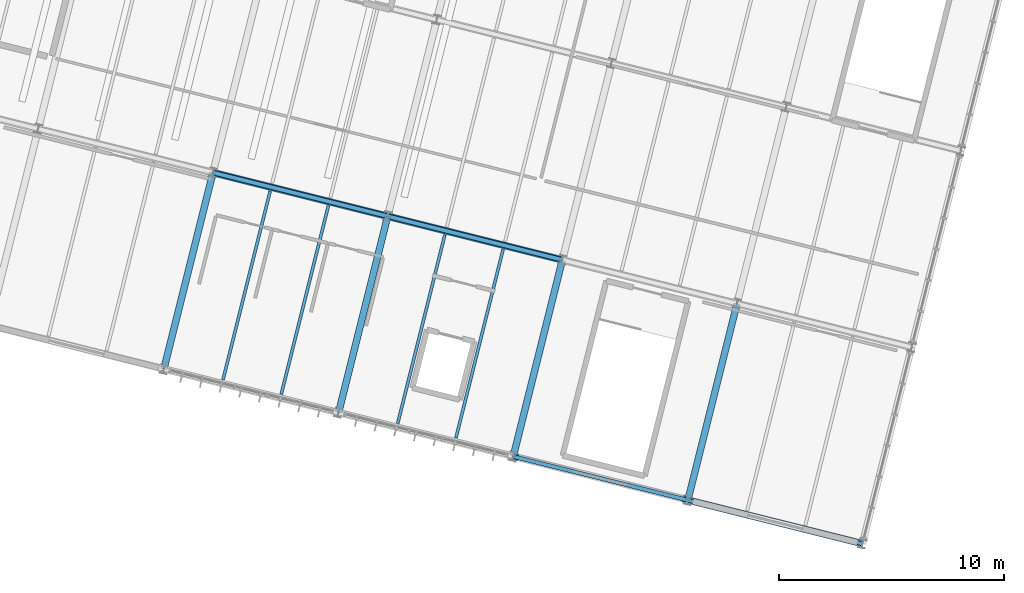
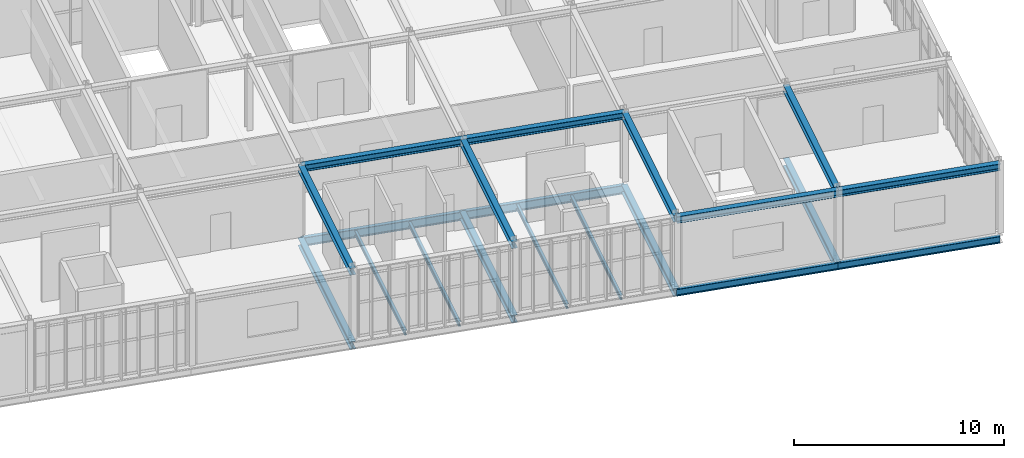
# One storey, part 9 of 30: 20 beams.
"""IFC4 building model written with IfcOpenShell, lengths in metres."""

from ifc_helpers import new_model, si_unit, derived_unit, direction, frame, origin, origin_2d, place, context, subcontext, project, spatial, i_section, extrude, material, material_profile, profile_set, type_object, element, save


model = new_model("IFC4")

# Units and contexts
model_context = context("Model", 3, precision=1e-05, world=origin(), true_north=direction((0.0, 1.0)))
body_context = subcontext(model_context, "Body", "Model", "MODEL_VIEW")
ifc_project = project(units=[si_unit("LENGTHUNIT", "METRE"), si_unit("AREAUNIT", "SQUARE_METRE"), si_unit("VOLUMEUNIT", "CUBIC_METRE"), si_unit("PLANEANGLEUNIT", "RADIAN"), si_unit("MASSUNIT", "GRAM", prefix="KILO"), si_unit("THERMODYNAMICTEMPERATUREUNIT", "KELVIN"), si_unit("TIMEUNIT", "SECOND"), derived_unit("THERMALTRANSMITTANCEUNIT", [(si_unit("MASSUNIT", "GRAM", prefix="KILO"), 1), (si_unit("THERMODYNAMICTEMPERATUREUNIT", "KELVIN"), -1), (si_unit("TIMEUNIT", "SECOND"), -3)])], contexts=[model_context])

# Site, building, storey
site_placement = place(None, origin())
site = spatial("IfcSite", under=ifc_project, at=site_placement, CompositionType="ELEMENT")
building_placement = place(site_placement, origin())
building = spatial("IfcBuilding", under=site, at=building_placement, Name="Cambertide Market Hall", CompositionType="ELEMENT")
storey_placement = place(building_placement, frame((0.0, 0.0, 14.10009765625)))
storey = spatial("IfcBuildingStorey", under=building, at=storey_placement, Name="L04", CompositionType="ELEMENT", Elevation=14.10009765625)

# Beams
ifc_material_1 = material(Name="Steel S355", Category="steel")
ifc_material_profile_1 = material_profile(ifc_material_1, i_section(OverallWidth=0.300048828125, OverallDepth=0.389892578125, WebThickness=0.010986328125, FlangeThickness=0.01904296875, FilletRadius=0.027099609375, at=origin_2d()), Name="HEA 400")
ifc_profile_set_1 = profile_set([ifc_material_profile_1], Name="Steel S355")
beam_type_1 = type_object("IfcBeamType", Name="Exterior Steel Girder HEA 400", PredefinedType="BEAM", material=ifc_profile_set_1)
beam_1_placement = place(storey_placement, frame((141.227294921875, 100.97021484375, 3.804931640625), z_axis=(0.970138909791, -0.242549986002, 0.0), x_axis=(0.242549986002, 0.970138909791, 0.0)))
element("IfcBeam", 1, at=beam_1_placement, inside=storey, type_object=beam_type_1, Name="Level 4 Beam BM-V4U-RF-5-2", PredefinedType="BEAM", context=body_context, shape_type="SweptSolid", body=[
    extrude(i_section(OverallWidth=0.300048828125, OverallDepth=0.389892578125, WebThickness=0.010986328125, FlangeThickness=0.01904296875, FilletRadius=0.027099609375, at=origin_2d()), origin(), (0.0, 0.0, 1.0), 8.000244140625),
])
for number, where, z_axis, x_axis, name in (
    (2, (148.988525390625, 99.02978515625, 3.804931640625), (0.970146090314, -0.242521263911, 0.0), (0.242521263911, 0.970146090314, 0.0), "Level 4 Beam BM-V4U-RF-6-2"),
    (3, (154.56689453125, 88.3583984375, 3.804931640625), (0.970137114374, -0.242557167103, 0.0), (0.242557167103, 0.970137114374, 0.0), "Level 4 Beam BM-V4U-RF-7-1"),
    (4, (162.327880859375, 86.41796875, 3.804931640625), (0.970146090314, -0.242521263911, 0.0), (0.242521263911, 0.970146090314, 0.0), "Level 4 Beam BM-V4U-RF-8-1"),
):
    element("IfcBeam", number, at=place(storey_placement, frame(where, z_axis=z_axis, x_axis=x_axis)), inside=storey, type_object=beam_type_1, Name=name, PredefinedType="BEAM", context=body_context, shape_type="SweptSolid", body=[
        extrude(i_section(OverallWidth=0.300048828125, OverallDepth=0.389892578125, WebThickness=0.010986328125, FlangeThickness=0.01904296875, FilletRadius=0.027099609375, at=origin_2d()), origin(), (0.0, 0.0, 1.0), 8.0),
    ])
for number, where, z_axis, x_axis, name in (
    (5, (139.044677734375, 92.23876953125, 3.804931640625), (0.242510094215, 0.970148882494, 0.0), (-0.970148882494, 0.242510094215, 0.0), "Level 4 Beam BM-V4V-RF-5-1"),
    (6, (146.8056640625, 90.298583984375, 3.804931640625), (0.242542007841, 0.970140904422, 0.0), (-0.970140904422, 0.242542007841, 0.0), "Level 4 Beam BM-V4V-RF-6-1"),
    (7, (154.56689453125, 88.3583984375, 3.804931640625), (0.242542007841, 0.970140904422, 0.0), (-0.970140904422, 0.242542007841, 0.0), "Level 4 Beam BM-V4V-RF-7-1"),
    (8, (162.327880859375, 86.41796875, 3.804931640625), (0.242542007841, 0.970140904422, 0.0), (-0.970140904422, 0.242542007841, 0.0), "Level 4 Beam BM-V4V-RF-8-1"),
):
    element("IfcBeam", number, at=place(storey_placement, frame(where, z_axis=z_axis, x_axis=x_axis)), inside=storey, type_object=beam_type_1, Name=name, PredefinedType="BEAM", context=body_context, shape_type="SweptSolid", body=[
        extrude(i_section(OverallWidth=0.300048828125, OverallDepth=0.389892578125, WebThickness=0.010986328125, FlangeThickness=0.01904296875, FilletRadius=0.027099609375, at=origin_2d()), origin(), (0.0, 0.0, 1.0), 9.0),
    ])
ifc_material_2 = material(Name="Steel S355", Category="steel")
ifc_material_profile_2 = material_profile(ifc_material_2, i_section(OverallWidth=0.179931640625, OverallDepth=0.39990234375, WebThickness=0.008544921875, FlangeThickness=0.013427734375, FilletRadius=0.02099609375, at=origin_2d()), Name="IPE 400")
ifc_profile_set_2 = profile_set([ifc_material_profile_2], Name="Steel S355")
beam_type_2 = type_object("IfcBeamType", Name="Perimeter Spandrel Beam IPE 400", PredefinedType="SPANDREL", material=ifc_profile_set_2)
for number, where, z_axis, x_axis, name in (
    (9, (154.56689453125, 88.3583984375, -0.455078125), (0.970137114374, -0.242557167103, 0.0), (0.242557167103, 0.970137114374, 0.0), "Level 4 Spandrel BM-V4U-L04-7-1"),
    (10, (162.327880859375, 86.41796875, -0.455078125), (0.970146090314, -0.242521263911, 0.0), (0.242521263911, 0.970146090314, 0.0), "Level 4 Spandrel BM-V4U-L04-8-1"),
):
    element("IfcBeam", number, at=place(storey_placement, frame(where, z_axis=z_axis, x_axis=x_axis)), inside=storey, type_object=beam_type_2, Name=name, PredefinedType="SPANDREL", context=body_context, shape_type="SweptSolid", body=[
        extrude(i_section(OverallWidth=0.179931640625, OverallDepth=0.39990234375, WebThickness=0.008544921875, FlangeThickness=0.013427734375, FilletRadius=0.02099609375, at=origin_2d()), origin(), (0.0, 0.0, 1.0), 8.0),
    ])
ifc_material_3 = material(Name="Steel S355", Category="steel")
ifc_material_profile_3 = material_profile(ifc_material_3, i_section(OverallWidth=0.300048828125, OverallDepth=0.449951171875, WebThickness=0.013916015625, FlangeThickness=0.02587890625, FilletRadius=0.027099609375, at=origin_2d()), Name="HEB 450")
ifc_profile_set_3 = profile_set([ifc_material_profile_3], Name="Steel S355")
beam_type_3 = type_object("IfcBeamType", Name="Steel Girder HEB 450", PredefinedType="BEAM", material=ifc_profile_set_3)
for number, where, z_axis, x_axis, name in (
    (11, (139.044677734375, 92.23876953125, -0.47998046875), (0.242510094215, 0.970148882494, 0.0), (-0.970148882494, 0.242510094215, 0.0), "Level 4 Beam BM-V4V-L04-5-1"),
    (12, (146.8056640625, 90.298583984375, -0.47998046875), (0.242542007841, 0.970140904422, 0.0), (-0.970140904422, 0.242542007841, 0.0), "Level 4 Beam BM-V4V-L04-6-1"),
    (13, (154.56689453125, 88.3583984375, -0.47998046875), (0.242542007841, 0.970140904422, 0.0), (-0.970140904422, 0.242542007841, 0.0), "Level 4 Beam BM-V4V-L04-7-1"),
    (14, (162.327880859375, 86.41796875, -0.47998046875), (0.242542007841, 0.970140904422, 0.0), (-0.970140904422, 0.242542007841, 0.0), "Level 4 Beam BM-V4V-L04-8-1"),
):
    element("IfcBeam", number, at=place(storey_placement, frame(where, z_axis=z_axis, x_axis=x_axis)), inside=storey, type_object=beam_type_3, Name=name, PredefinedType="BEAM", context=body_context, shape_type="SweptSolid", body=[
        extrude(i_section(OverallWidth=0.300048828125, OverallDepth=0.449951171875, WebThickness=0.013916015625, FlangeThickness=0.02587890625, FilletRadius=0.027099609375, at=origin_2d()), origin(), (0.0, 0.0, 1.0), 9.0),
    ])
ifc_material_4 = material(Name="Steel S355", Category="steel")
ifc_material_profile_4 = material_profile(ifc_material_4, i_section(OverallWidth=0.199951171875, OverallDepth=0.5, WebThickness=0.01025390625, FlangeThickness=0.01611328125, FilletRadius=0.02099609375, at=origin_2d()), Name="IPE 500")
ifc_profile_set_4 = profile_set([ifc_material_profile_4], Name="Steel S355")
beam_type_4 = type_object("IfcBeamType", Name="Steel Girder IPE 500", PredefinedType="BEAM", material=ifc_profile_set_4)
beam_2_placement = place(storey_placement, frame((141.227294921875, 100.97021484375, -0.505126953125), z_axis=(0.970138909791, -0.242549986002, 0.0), x_axis=(0.242549986002, 0.970138909791, 0.0)))
element("IfcBeam", 15, at=beam_2_placement, inside=storey, type_object=beam_type_4, Name="Level 4 Beam BM-V4U-L04-5-2", PredefinedType="BEAM", context=body_context, shape_type="SweptSolid", body=[
    extrude(i_section(OverallWidth=0.199951171875, OverallDepth=0.5, WebThickness=0.01025390625, FlangeThickness=0.01611328125, FilletRadius=0.02099609375, at=origin_2d()), origin(), (0.0, 0.0, 1.0), 8.000244140625),
])
beam_3_placement = place(storey_placement, frame((148.988525390625, 99.02978515625, -0.505126953125), z_axis=(0.970146090314, -0.242521263911, 0.0), x_axis=(0.242521263911, 0.970146090314, 0.0)))
element("IfcBeam", 16, at=beam_3_placement, inside=storey, type_object=beam_type_4, Name="Level 4 Beam BM-V4U-L04-6-2", PredefinedType="BEAM", context=body_context, shape_type="SweptSolid", body=[
    extrude(i_section(OverallWidth=0.199951171875, OverallDepth=0.5, WebThickness=0.01025390625, FlangeThickness=0.01611328125, FilletRadius=0.02099609375, at=origin_2d()), origin(), (0.0, 0.0, 1.0), 8.0),
])
ifc_material_5 = material(Name="Steel S275", Category="steel")
ifc_material_profile_5 = material_profile(ifc_material_5, i_section(OverallWidth=0.135009765625, OverallDepth=0.27001953125, WebThickness=0.006591796875, FlangeThickness=0.01025390625, FilletRadius=0.014892578125, at=origin_2d()), Name="IPE 270")
ifc_profile_set_5 = profile_set([ifc_material_profile_5], Name="Steel S275")
beam_type_5 = type_object("IfcBeamType", Name="Steel Secondary Joist IPE 270", PredefinedType="JOIST", material=ifc_profile_set_5)
beam_4_placement = place(storey_placement, frame((141.67529296875, 91.766845703125, -0.39013671875), z_axis=(0.242535625036, 0.970142500145, 0.0), x_axis=(-0.970142500145, 0.242535625036, 0.0)))
element("IfcBeam", 17, at=beam_4_placement, inside=storey, type_object=beam_type_5, Name="Level 4 Joist JS-V4-L04-5-1-1", PredefinedType="JOIST", context=body_context, shape_type="SweptSolid", body=[
    extrude(i_section(OverallWidth=0.135009765625, OverallDepth=0.27001953125, WebThickness=0.006591796875, FlangeThickness=0.01025390625, FilletRadius=0.014892578125, at=origin_2d()), origin(), (0.0, 0.0, 1.0), 8.639892578125),
])
for number, where, z_axis, x_axis, name in (
    (18, (144.26220703125, 91.119873046875, -0.39013671875), (0.242555570896, 0.970137513463, 0.0), (-0.970137513463, 0.242555570896, 0.0), "Level 4 Joist JS-V4-L04-5-1-2"),
    (19, (149.4365234375, 89.826416015625, -0.39013671875), (0.242528976348, 0.970144162293, 0.0), (-0.970144162293, 0.242528976348, 0.0), "Level 4 Joist JS-V4-L04-6-1-1"),
    (20, (152.0234375, 89.1796875, -0.39013671875), (0.242528976348, 0.970144162293, 0.0), (-0.970144162293, 0.242528976348, 0.0), "Level 4 Joist JS-V4-L04-6-1-2"),
):
    element("IfcBeam", number, at=place(storey_placement, frame(where, z_axis=z_axis, x_axis=x_axis)), inside=storey, type_object=beam_type_5, Name=name, PredefinedType="JOIST", context=body_context, shape_type="SweptSolid", body=[
        extrude(i_section(OverallWidth=0.135009765625, OverallDepth=0.27001953125, WebThickness=0.006591796875, FlangeThickness=0.01025390625, FilletRadius=0.014892578125, at=origin_2d()), origin(), (0.0, 0.0, 1.0), 8.64013671875),
    ])

save(model, "model.ifc")
